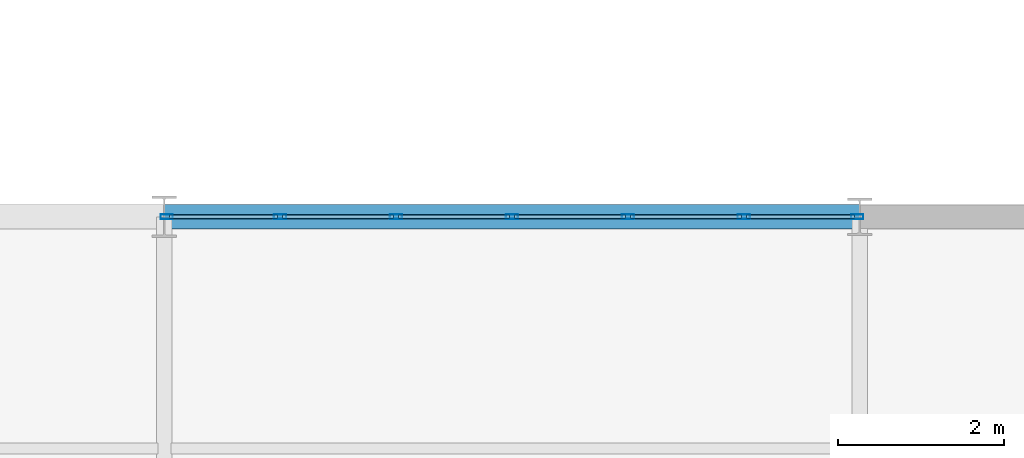
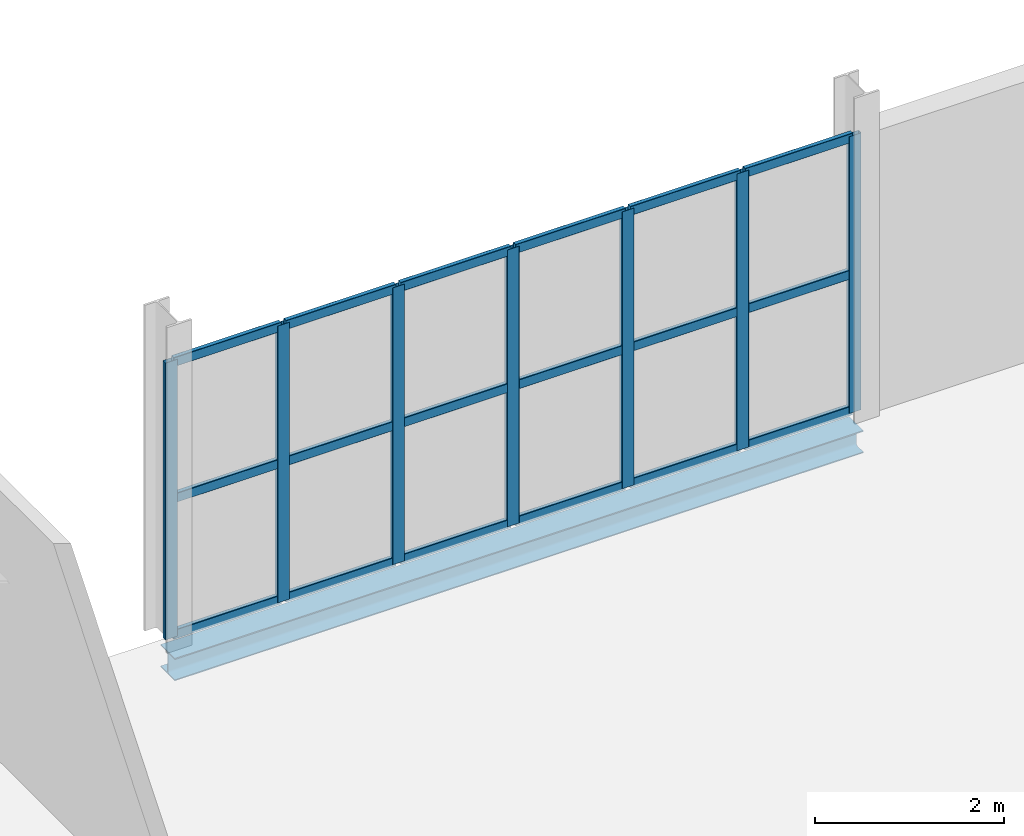
# One storey, part 26 of 69: 25 members, 1 beam, 1 element without a shape of its own.
"""IFC4 building model written with IfcOpenShell, lengths in metres."""

from ifc_helpers import new_model, si_unit, direction, frame, origin, origin_2d, place, context, subcontext, project, spatial, hollow_rectangle, i_section, extrude, material, layer, layer_set, material_profile, profile_set, type_object, element, aggregate, save


model = new_model("IFC4")

# Units and contexts
model_context = context("Model", 3, precision=1e-05, world=origin(), true_north=direction((0.0, 1.0)))
body_context = subcontext(model_context, "Body", "Model", "MODEL_VIEW")
ifc_project = project(units=[si_unit("LENGTHUNIT", "METRE"), si_unit("AREAUNIT", "SQUARE_METRE"), si_unit("VOLUMEUNIT", "CUBIC_METRE"), si_unit("PLANEANGLEUNIT", "RADIAN"), si_unit("MASSUNIT", "GRAM", prefix="KILO")], contexts=[model_context])

# Site, building, storey
site_placement = place(None, origin())
site = spatial("IfcSite", under=ifc_project, at=site_placement, CompositionType="ELEMENT")
building_placement = place(site_placement, origin())
building = spatial("IfcBuilding", under=site, at=building_placement, Name="Qalvenar Corner Mobility Hub", CompositionType="ELEMENT")
storey_placement = place(building_placement, frame((0.0, 0.0, 13.199951171875)))
storey = spatial("IfcBuildingStorey", under=building, at=storey_placement, Name="L03", CompositionType="ELEMENT", Elevation=13.199951171875)

# Beam
ifc_material_1 = material(Name="Steel S355", Category="steel")
ifc_material_profile_1 = material_profile(ifc_material_1, i_section(OverallWidth=0.300048828125, OverallDepth=0.2900390625, WebThickness=0.008544921875, FlangeThickness=0.013916015625, FilletRadius=0.027099609375, at=origin_2d()), Name="HEA300")
ifc_profile_set_1 = profile_set([ifc_material_profile_1], Name="Steel S355")
beam_type = type_object("IfcBeamType", Name="BM-SPN300", PredefinedType="SPANDREL", material=ifc_profile_set_1)
beam_placement = place(storey_placement, frame((33.60009765625, 42.0, -0.324951171875), z_axis=(1.0, 0.0, 0.0), x_axis=(0.0, 1.0, 0.0)))
element("IfcBeam", 1, at=beam_placement, inside=storey, type_object=beam_type, Name="Primary Steel Girder GX-2222", PredefinedType="SPANDREL", context=body_context, shape_type="SweptSolid", body=[
    extrude(i_section(OverallWidth=0.300048828125, OverallDepth=0.2900390625, WebThickness=0.008544921875, FlangeThickness=0.013916015625, FilletRadius=0.027099609375, at=origin_2d()), origin(), (0.0, 0.0, 1.0), 8.39990234375),
])

# Curtain wall, members
ifc_material_2 = material(Name="Anodised Aluminium and Low-E Glazing", Category="aluminium")
ifc_layer = layer(ifc_material_2, 0.14990234375)
ifc_layer_set = layer_set([ifc_layer], Name="Anodised Aluminium and Low-E Glazing")
curtain_wall_type = type_object("IfcCurtainWallType", Name="CW-CIV-84X40", PredefinedType="NOTDEFINED", material=ifc_layer_set)
curtain_wall_placement = place(storey_placement, origin())
curtain_wall = element("IfcCurtainWall", 2, at=curtain_wall_placement, inside=storey, type_object=curtain_wall_type, Name="Glazed Curtain Wall CW-V3-L03-N4", PredefinedType="NOTDEFINED")
ifc_material_3 = material(Name="Anodised Aluminium 6063-T6", Category="aluminium")
ifc_material_profile_2 = material_profile(ifc_material_3, hollow_rectangle(XDim=0.06005859375, YDim=0.14990234375, WallThickness=0.00390625, InnerFilletRadius=0.00390625, OuterFilletRadius=0.008056640625, at=origin_2d()), Name="RHS150x60x4")
ifc_profile_set_2 = profile_set([ifc_material_profile_2], Name="Anodised Aluminium 6063-T6")
member_type_1 = type_object("IfcMemberType", Name="CW-MUL150", PredefinedType="MULLION", material=ifc_profile_set_2)
member_1_placement = place(storey_placement, frame((41.969970703125, 42.0, 0.0), z_axis=(0.0, 0.0, 1.0), x_axis=(0.0, -1.0, 0.0)))
member_1 = element("IfcMember", 3, at=member_1_placement, type_object=member_type_1, Name="CW-05 mullion 1", PredefinedType="MULLION", context=body_context, shape_type="SweptSolid", body=[
    extrude(hollow_rectangle(XDim=0.06005859375, YDim=0.14990234375, WallThickness=0.00390625, InnerFilletRadius=0.00390625, OuterFilletRadius=0.008056640625, at=origin_2d()), origin(), (0.0, 0.0, 1.0), 3.570068359375),
])
member_2_placement = place(storey_placement, frame((40.60009765625, 42.0, 0.0), z_axis=(0.0, 0.0, 1.0), x_axis=(0.0, -1.0, 0.0)))
member_2 = element("IfcMember", 4, at=member_2_placement, type_object=member_type_1, Name="CW-05 mullion 2", PredefinedType="MULLION", context=body_context, shape_type="SweptSolid", body=[
    extrude(hollow_rectangle(XDim=0.06005859375, YDim=0.14990234375, WallThickness=0.00390625, InnerFilletRadius=0.00390625, OuterFilletRadius=0.008056640625, at=origin_2d()), origin(), (0.0, 0.0, 1.0), 3.570068359375),
])
member_3_placement = place(storey_placement, frame((39.199951171875, 42.0, 0.0), z_axis=(0.0, 0.0, 1.0), x_axis=(0.0, -1.0, 0.0)))
member_3 = element("IfcMember", 5, at=member_3_placement, type_object=member_type_1, Name="CW-05 mullion 3", PredefinedType="MULLION", context=body_context, shape_type="SweptSolid", body=[
    extrude(hollow_rectangle(XDim=0.06005859375, YDim=0.14990234375, WallThickness=0.00390625, InnerFilletRadius=0.00390625, OuterFilletRadius=0.008056640625, at=origin_2d()), origin(), (0.0, 0.0, 1.0), 3.570068359375),
])
member_4_placement = place(storey_placement, frame((37.800048828125, 42.0, 0.0), z_axis=(0.0, 0.0, 1.0), x_axis=(0.0, -1.0, 0.0)))
member_4 = element("IfcMember", 6, at=member_4_placement, type_object=member_type_1, Name="CW-05 mullion 4", PredefinedType="MULLION", context=body_context, shape_type="SweptSolid", body=[
    extrude(hollow_rectangle(XDim=0.06005859375, YDim=0.14990234375, WallThickness=0.00390625, InnerFilletRadius=0.00390625, OuterFilletRadius=0.008056640625, at=origin_2d()), origin(), (0.0, 0.0, 1.0), 3.570068359375),
])
member_5_placement = place(storey_placement, frame((36.39990234375, 42.0, 0.0), z_axis=(0.0, 0.0, 1.0), x_axis=(0.0, -1.0, 0.0)))
member_5 = element("IfcMember", 7, at=member_5_placement, type_object=member_type_1, Name="CW-05 mullion 5", PredefinedType="MULLION", context=body_context, shape_type="SweptSolid", body=[
    extrude(hollow_rectangle(XDim=0.06005859375, YDim=0.14990234375, WallThickness=0.00390625, InnerFilletRadius=0.00390625, OuterFilletRadius=0.008056640625, at=origin_2d()), origin(), (0.0, 0.0, 1.0), 3.570068359375),
])
member_6_placement = place(storey_placement, frame((35.0, 42.0, 0.0), z_axis=(0.0, 0.0, 1.0), x_axis=(0.0, -1.0, 0.0)))
member_6 = element("IfcMember", 8, at=member_6_placement, type_object=member_type_1, Name="CW-05 mullion 6", PredefinedType="MULLION", context=body_context, shape_type="SweptSolid", body=[
    extrude(hollow_rectangle(XDim=0.06005859375, YDim=0.14990234375, WallThickness=0.00390625, InnerFilletRadius=0.00390625, OuterFilletRadius=0.008056640625, at=origin_2d()), origin(), (0.0, 0.0, 1.0), 3.570068359375),
])
member_7_placement = place(storey_placement, frame((33.6298828125, 42.0, 0.0), z_axis=(0.0, 0.0, 1.0), x_axis=(0.0, -1.0, 0.0)))
member_7 = element("IfcMember", 9, at=member_7_placement, type_object=member_type_1, Name="CW-05 mullion 7", PredefinedType="MULLION", context=body_context, shape_type="SweptSolid", body=[
    extrude(hollow_rectangle(XDim=0.06005859375, YDim=0.14990234375, WallThickness=0.00390625, InnerFilletRadius=0.00390625, OuterFilletRadius=0.008056640625, at=origin_2d()), origin(), (0.0, 0.0, 1.0), 3.570068359375),
])
ifc_material_profile_3 = material_profile(ifc_material_3, hollow_rectangle(XDim=0.054931640625, YDim=0.1201171875, WallThickness=0.00341796875, InnerFilletRadius=0.00341796875, OuterFilletRadius=0.007080078125, at=origin_2d()), Name="RHS120x55x3.5")
ifc_profile_set_3 = profile_set([ifc_material_profile_3], Name="Anodised Aluminium 6063-T6")
member_type_2 = type_object("IfcMemberType", Name="CW-TRN120", PredefinedType="USERDEFINED", material=ifc_profile_set_3)
member_8_placement = place(storey_placement, frame((41.93994140625, 42.0, 0.027587890625), z_axis=(-1.0, 0.0, 0.0), x_axis=(0.0, -1.0, 0.0)))
member_8 = element("IfcMember", 10, at=member_8_placement, type_object=member_type_2, Name="CW-05 transom 1.1", ObjectType="TRANSOM", PredefinedType="USERDEFINED", context=body_context, shape_type="SweptSolid", body=[
    extrude(hollow_rectangle(XDim=0.054931640625, YDim=0.1201171875, WallThickness=0.00341796875, InnerFilletRadius=0.00341796875, OuterFilletRadius=0.007080078125, at=origin_2d()), origin(), (0.0, 0.0, 1.0), 1.31005859375),
])
member_9_placement = place(storey_placement, frame((41.93994140625, 42.0, 1.78515625), z_axis=(-1.0, 0.0, 0.0), x_axis=(0.0, -1.0, 0.0)))
member_9 = element("IfcMember", 11, at=member_9_placement, type_object=member_type_2, Name="CW-05 transom 1.2", ObjectType="TRANSOM", PredefinedType="USERDEFINED", context=body_context, shape_type="SweptSolid", body=[
    extrude(hollow_rectangle(XDim=0.054931640625, YDim=0.1201171875, WallThickness=0.00341796875, InnerFilletRadius=0.00341796875, OuterFilletRadius=0.007080078125, at=origin_2d()), origin(), (0.0, 0.0, 1.0), 1.31005859375),
])
member_10_placement = place(storey_placement, frame((41.93994140625, 42.0, 3.54248046875), z_axis=(-1.0, 0.0, 0.0), x_axis=(0.0, -1.0, 0.0)))
member_10 = element("IfcMember", 12, at=member_10_placement, type_object=member_type_2, Name="CW-05 transom 1.3", ObjectType="TRANSOM", PredefinedType="USERDEFINED", context=body_context, shape_type="SweptSolid", body=[
    extrude(hollow_rectangle(XDim=0.054931640625, YDim=0.1201171875, WallThickness=0.00341796875, InnerFilletRadius=0.00341796875, OuterFilletRadius=0.007080078125, at=origin_2d()), origin(), (0.0, 0.0, 1.0), 1.31005859375),
])
member_11_placement = place(storey_placement, frame((40.570068359375, 42.0, 0.027587890625), z_axis=(-1.0, 0.0, 0.0), x_axis=(0.0, -1.0, 0.0)))
member_11 = element("IfcMember", 13, at=member_11_placement, type_object=member_type_2, Name="CW-05 transom 2.1", ObjectType="TRANSOM", PredefinedType="USERDEFINED", context=body_context, shape_type="SweptSolid", body=[
    extrude(hollow_rectangle(XDim=0.054931640625, YDim=0.1201171875, WallThickness=0.00341796875, InnerFilletRadius=0.00341796875, OuterFilletRadius=0.007080078125, at=origin_2d()), origin(), (0.0, 0.0, 1.0), 1.340087890625),
])
member_12_placement = place(storey_placement, frame((40.570068359375, 42.0, 1.78515625), z_axis=(-1.0, 0.0, 0.0), x_axis=(0.0, -1.0, 0.0)))
member_12 = element("IfcMember", 14, at=member_12_placement, type_object=member_type_2, Name="CW-05 transom 2.2", ObjectType="TRANSOM", PredefinedType="USERDEFINED", context=body_context, shape_type="SweptSolid", body=[
    extrude(hollow_rectangle(XDim=0.054931640625, YDim=0.1201171875, WallThickness=0.00341796875, InnerFilletRadius=0.00341796875, OuterFilletRadius=0.007080078125, at=origin_2d()), origin(), (0.0, 0.0, 1.0), 1.340087890625),
])
member_13_placement = place(storey_placement, frame((40.570068359375, 42.0, 3.54248046875), z_axis=(-1.0, 0.0, 0.0), x_axis=(0.0, -1.0, 0.0)))
member_13 = element("IfcMember", 15, at=member_13_placement, type_object=member_type_2, Name="CW-05 transom 2.3", ObjectType="TRANSOM", PredefinedType="USERDEFINED", context=body_context, shape_type="SweptSolid", body=[
    extrude(hollow_rectangle(XDim=0.054931640625, YDim=0.1201171875, WallThickness=0.00341796875, InnerFilletRadius=0.00341796875, OuterFilletRadius=0.007080078125, at=origin_2d()), origin(), (0.0, 0.0, 1.0), 1.340087890625),
])
member_14_placement = place(storey_placement, frame((39.169921875, 42.0, 0.027587890625), z_axis=(-1.0, 0.0, 0.0), x_axis=(0.0, -1.0, 0.0)))
member_14 = element("IfcMember", 16, at=member_14_placement, type_object=member_type_2, Name="CW-05 transom 3.1", ObjectType="TRANSOM", PredefinedType="USERDEFINED", context=body_context, shape_type="SweptSolid", body=[
    extrude(hollow_rectangle(XDim=0.054931640625, YDim=0.1201171875, WallThickness=0.00341796875, InnerFilletRadius=0.00341796875, OuterFilletRadius=0.007080078125, at=origin_2d()), origin(), (0.0, 0.0, 1.0), 1.33984375),
])
member_15_placement = place(storey_placement, frame((39.169921875, 42.0, 1.78515625), z_axis=(-1.0, 0.0, 0.0), x_axis=(0.0, -1.0, 0.0)))
member_15 = element("IfcMember", 17, at=member_15_placement, type_object=member_type_2, Name="CW-05 transom 3.2", ObjectType="TRANSOM", PredefinedType="USERDEFINED", context=body_context, shape_type="SweptSolid", body=[
    extrude(hollow_rectangle(XDim=0.054931640625, YDim=0.1201171875, WallThickness=0.00341796875, InnerFilletRadius=0.00341796875, OuterFilletRadius=0.007080078125, at=origin_2d()), origin(), (0.0, 0.0, 1.0), 1.33984375),
])
member_16_placement = place(storey_placement, frame((39.169921875, 42.0, 3.54248046875), z_axis=(-1.0, 0.0, 0.0), x_axis=(0.0, -1.0, 0.0)))
member_16 = element("IfcMember", 18, at=member_16_placement, type_object=member_type_2, Name="CW-05 transom 3.3", ObjectType="TRANSOM", PredefinedType="USERDEFINED", context=body_context, shape_type="SweptSolid", body=[
    extrude(hollow_rectangle(XDim=0.054931640625, YDim=0.1201171875, WallThickness=0.00341796875, InnerFilletRadius=0.00341796875, OuterFilletRadius=0.007080078125, at=origin_2d()), origin(), (0.0, 0.0, 1.0), 1.33984375),
])
member_17_placement = place(storey_placement, frame((37.77001953125, 42.0, 0.027587890625), z_axis=(-1.0, 0.0, 0.0), x_axis=(0.0, -1.0, 0.0)))
member_17 = element("IfcMember", 19, at=member_17_placement, type_object=member_type_2, Name="CW-05 transom 4.1", ObjectType="TRANSOM", PredefinedType="USERDEFINED", context=body_context, shape_type="SweptSolid", body=[
    extrude(hollow_rectangle(XDim=0.054931640625, YDim=0.1201171875, WallThickness=0.00341796875, InnerFilletRadius=0.00341796875, OuterFilletRadius=0.007080078125, at=origin_2d()), origin(), (0.0, 0.0, 1.0), 1.340087890625),
])
member_18_placement = place(storey_placement, frame((37.77001953125, 42.0, 1.78515625), z_axis=(-1.0, 0.0, 0.0), x_axis=(0.0, -1.0, 0.0)))
member_18 = element("IfcMember", 20, at=member_18_placement, type_object=member_type_2, Name="CW-05 transom 4.2", ObjectType="TRANSOM", PredefinedType="USERDEFINED", context=body_context, shape_type="SweptSolid", body=[
    extrude(hollow_rectangle(XDim=0.054931640625, YDim=0.1201171875, WallThickness=0.00341796875, InnerFilletRadius=0.00341796875, OuterFilletRadius=0.007080078125, at=origin_2d()), origin(), (0.0, 0.0, 1.0), 1.340087890625),
])
member_19_placement = place(storey_placement, frame((37.77001953125, 42.0, 3.54248046875), z_axis=(-1.0, 0.0, 0.0), x_axis=(0.0, -1.0, 0.0)))
member_19 = element("IfcMember", 21, at=member_19_placement, type_object=member_type_2, Name="CW-05 transom 4.3", ObjectType="TRANSOM", PredefinedType="USERDEFINED", context=body_context, shape_type="SweptSolid", body=[
    extrude(hollow_rectangle(XDim=0.054931640625, YDim=0.1201171875, WallThickness=0.00341796875, InnerFilletRadius=0.00341796875, OuterFilletRadius=0.007080078125, at=origin_2d()), origin(), (0.0, 0.0, 1.0), 1.340087890625),
])
member_20_placement = place(storey_placement, frame((36.3701171875, 42.0, 0.027587890625), z_axis=(-1.0, 0.0, 0.0), x_axis=(0.0, -1.0, 0.0)))
member_20 = element("IfcMember", 22, at=member_20_placement, type_object=member_type_2, Name="CW-05 transom 5.1", ObjectType="TRANSOM", PredefinedType="USERDEFINED", context=body_context, shape_type="SweptSolid", body=[
    extrude(hollow_rectangle(XDim=0.054931640625, YDim=0.1201171875, WallThickness=0.00341796875, InnerFilletRadius=0.00341796875, OuterFilletRadius=0.007080078125, at=origin_2d()), origin(), (0.0, 0.0, 1.0), 1.340087890625),
])
member_21_placement = place(storey_placement, frame((36.3701171875, 42.0, 1.78515625), z_axis=(-1.0, 0.0, 0.0), x_axis=(0.0, -1.0, 0.0)))
member_21 = element("IfcMember", 23, at=member_21_placement, type_object=member_type_2, Name="CW-05 transom 5.2", ObjectType="TRANSOM", PredefinedType="USERDEFINED", context=body_context, shape_type="SweptSolid", body=[
    extrude(hollow_rectangle(XDim=0.054931640625, YDim=0.1201171875, WallThickness=0.00341796875, InnerFilletRadius=0.00341796875, OuterFilletRadius=0.007080078125, at=origin_2d()), origin(), (0.0, 0.0, 1.0), 1.340087890625),
])
member_22_placement = place(storey_placement, frame((36.3701171875, 42.0, 3.54248046875), z_axis=(-1.0, 0.0, 0.0), x_axis=(0.0, -1.0, 0.0)))
member_22 = element("IfcMember", 24, at=member_22_placement, type_object=member_type_2, Name="CW-05 transom 5.3", ObjectType="TRANSOM", PredefinedType="USERDEFINED", context=body_context, shape_type="SweptSolid", body=[
    extrude(hollow_rectangle(XDim=0.054931640625, YDim=0.1201171875, WallThickness=0.00341796875, InnerFilletRadius=0.00341796875, OuterFilletRadius=0.007080078125, at=origin_2d()), origin(), (0.0, 0.0, 1.0), 1.340087890625),
])
member_23_placement = place(storey_placement, frame((34.969970703125, 42.0, 0.027587890625), z_axis=(-1.0, 0.0, 0.0), x_axis=(0.0, -1.0, 0.0)))
member_23 = element("IfcMember", 25, at=member_23_placement, type_object=member_type_2, Name="CW-05 transom 6.1", ObjectType="TRANSOM", PredefinedType="USERDEFINED", context=body_context, shape_type="SweptSolid", body=[
    extrude(hollow_rectangle(XDim=0.054931640625, YDim=0.1201171875, WallThickness=0.00341796875, InnerFilletRadius=0.00341796875, OuterFilletRadius=0.007080078125, at=origin_2d()), origin(), (0.0, 0.0, 1.0), 1.31005859375),
])
member_24_placement = place(storey_placement, frame((34.969970703125, 42.0, 1.78515625), z_axis=(-1.0, 0.0, 0.0), x_axis=(0.0, -1.0, 0.0)))
member_24 = element("IfcMember", 26, at=member_24_placement, type_object=member_type_2, Name="CW-05 transom 6.2", ObjectType="TRANSOM", PredefinedType="USERDEFINED", context=body_context, shape_type="SweptSolid", body=[
    extrude(hollow_rectangle(XDim=0.054931640625, YDim=0.1201171875, WallThickness=0.00341796875, InnerFilletRadius=0.00341796875, OuterFilletRadius=0.007080078125, at=origin_2d()), origin(), (0.0, 0.0, 1.0), 1.31005859375),
])
member_25_placement = place(storey_placement, frame((34.969970703125, 42.0, 3.54248046875), z_axis=(-1.0, 0.0, 0.0), x_axis=(0.0, -1.0, 0.0)))
member_25 = element("IfcMember", 27, at=member_25_placement, type_object=member_type_2, Name="CW-05 transom 6.3", ObjectType="TRANSOM", PredefinedType="USERDEFINED", context=body_context, shape_type="SweptSolid", body=[
    extrude(hollow_rectangle(XDim=0.054931640625, YDim=0.1201171875, WallThickness=0.00341796875, InnerFilletRadius=0.00341796875, OuterFilletRadius=0.007080078125, at=origin_2d()), origin(), (0.0, 0.0, 1.0), 1.31005859375),
])
aggregate(curtain_wall, [member_1, member_2, member_3, member_4, member_5, member_6, member_7, member_8, member_9, member_10, member_11, member_12, member_13, member_14, member_15, member_16, member_17, member_18, member_19, member_20, member_21, member_22, member_23, member_24, member_25])

save(model, "model.ifc")
